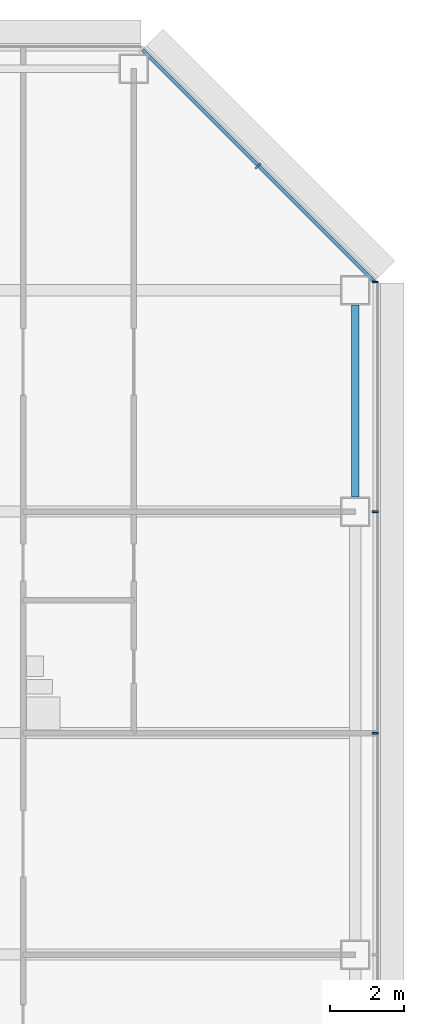
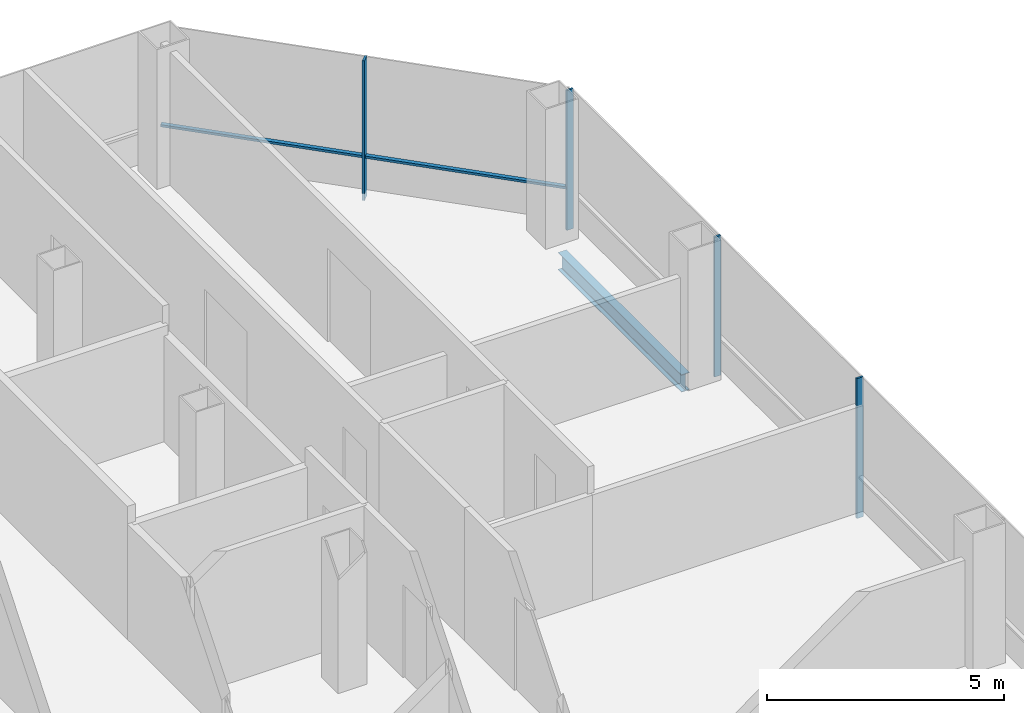
# One storey, part 17 of 25: 5 members, 1 beam, 2 elements without a shape of their own.
"""IFC4 building model written with IfcOpenShell, lengths in metres."""

from ifc_helpers import new_model, si_unit, direction, frame, origin, origin_2d, place, context, subcontext, project, spatial, rectangle, i_section, extrude, material, material_profile, profile_set, type_object, element, aggregate, save


model = new_model("IFC4")

# Units and contexts
model_context = context("Model", 3, precision=1e-05, world=origin(), true_north=direction((0.0, 1.0)))
body_context = subcontext(model_context, "Body", "Model", "MODEL_VIEW")
ifc_project = project(units=[si_unit("LENGTHUNIT", "METRE"), si_unit("AREAUNIT", "SQUARE_METRE"), si_unit("VOLUMEUNIT", "CUBIC_METRE"), si_unit("PLANEANGLEUNIT", "RADIAN"), si_unit("MASSUNIT", "GRAM", prefix="KILO")], contexts=[model_context])

# Site, building, storey
site_placement = place(None, origin())
site = spatial("IfcSite", under=ifc_project, at=site_placement, CompositionType="ELEMENT")
building_placement = place(site_placement, origin())
building = spatial("IfcBuilding", under=site, at=building_placement, Name="Sorahane Residences", CompositionType="ELEMENT")
storey_placement = place(building_placement, frame((0.0, 0.0, 119.60009765625)))
storey = spatial("IfcBuildingStorey", under=building, at=storey_placement, Name="L26", CompositionType="ELEMENT", Elevation=119.60009765625)

# Curtain wall, members
ifc_material_1 = material(Name="Dark low-e glass and black anodised aluminium", Category="aluminium")
curtain_wall_type_1 = type_object("IfcCurtainWallType", Name="Curtain wall CW-1 Typical unitised wall", PredefinedType="NOTDEFINED", material=ifc_material_1)
curtain_wall_1_placement = place(storey_placement, origin())
curtain_wall_1 = element("IfcCurtainWall", 1, at=curtain_wall_1_placement, inside=storey, type_object=curtain_wall_type_1, Name="CW-1 curtain wall L26 E1", PredefinedType="NOTDEFINED")
ifc_material_2 = material(Name="Black anodised aluminium", Category="aluminium")
ifc_material_profile_1 = material_profile(ifc_material_2, rectangle(XDim=0.159912109375, YDim=0.050048828125, at=origin_2d()), Name="Curtain wall mullion CW-1 black anodised aluminium 50x160")
ifc_profile_set_1 = profile_set([ifc_material_profile_1], Name="Black anodised aluminium")
member_type_1 = type_object("IfcMemberType", Name="Curtain wall mullion CW-1 black anodised aluminium 50x160", PredefinedType="MULLION", material=ifc_profile_set_1)
member_1_placement = place(storey_placement, frame((60.5400390625, 30.0, -0.18017578125), z_axis=(0.0, 0.0, 1.0), x_axis=(1.0, 0.0, 0.0)))
member_1 = element("IfcMember", 2, at=member_1_placement, type_object=member_type_1, Name="CW-1 mullion L26 E1.5", PredefinedType="MULLION", context=body_context, shape_type="SweptSolid", body=[
    extrude(rectangle(XDim=0.159912109375, YDim=0.050048828125, at=origin_2d()), origin(), (0.0, 0.0, 1.0), 3.60009765625),
])
member_2_placement = place(storey_placement, frame((60.5400390625, 36.0, -0.18017578125), z_axis=(0.0, 0.0, 1.0), x_axis=(1.0, 0.0, 0.0)))
member_2 = element("IfcMember", 3, at=member_2_placement, type_object=member_type_1, Name="CW-1 mullion L26 E1.6", PredefinedType="MULLION", context=body_context, shape_type="SweptSolid", body=[
    extrude(rectangle(XDim=0.159912109375, YDim=0.050048828125, at=origin_2d()), origin(), (0.0, 0.0, 1.0), 3.60009765625),
])
member_3_placement = place(storey_placement, frame((60.5400390625, 42.2236328125, -0.18017578125), z_axis=(0.0, 0.0, 1.0), x_axis=(1.0, 0.0, 0.0)))
member_3 = element("IfcMember", 4, at=member_3_placement, type_object=member_type_1, Name="CW-1 mullion L26 E1.7", PredefinedType="MULLION", context=body_context, shape_type="SweptSolid", body=[
    extrude(rectangle(XDim=0.159912109375, YDim=0.050048828125, at=origin_2d()), origin(), (0.0, 0.0, 1.0), 3.60009765625),
])
aggregate(curtain_wall_1, [member_1, member_2, member_3])

ifc_material_3 = material(Name="Dark low-e glass and black anodised aluminium", Category="aluminium")
curtain_wall_type_2 = type_object("IfcCurtainWallType", Name="Curtain wall CW-2 Chamfer unitised wall", PredefinedType="NOTDEFINED", material=ifc_material_3)
curtain_wall_2_placement = place(storey_placement, origin())
curtain_wall_2 = element("IfcCurtainWall", 5, at=curtain_wall_2_placement, inside=storey, type_object=curtain_wall_type_2, Name="CW-2 curtain wall L26 NE1", PredefinedType="NOTDEFINED")
ifc_material_4 = material(Name="Black anodised aluminium", Category="aluminium")
ifc_material_profile_2 = material_profile(ifc_material_4, rectangle(XDim=0.199951171875, YDim=0.050048828125, at=origin_2d()), Name="Curtain wall mullion CW-2 black anodised aluminium 50x200")
ifc_profile_set_2 = profile_set([ifc_material_profile_2], Name="Black anodised aluminium")
member_type_2 = type_object("IfcMemberType", Name="Curtain wall mullion CW-2 black anodised aluminium 50x200", PredefinedType="MULLION", material=ifc_profile_set_2)
member_4_placement = place(storey_placement, frame((57.36767578125, 45.36767578125, -0.18017578125), z_axis=(0.0, 0.0, 1.0), x_axis=(0.707106781187, 0.707106781187, 0.0)))
member_4 = element("IfcMember", 6, at=member_4_placement, type_object=member_type_2, Name="CW-2 mullion L26 NE1.2", PredefinedType="MULLION", context=body_context, shape_type="SweptSolid", body=[
    extrude(rectangle(XDim=0.199951171875, YDim=0.050048828125, at=origin_2d()), origin(), (0.0, 0.0, 1.0), 3.60009765625),
])
ifc_material_5 = material(Name="Black anodised aluminium", Category="aluminium")
ifc_material_profile_3 = material_profile(ifc_material_5, rectangle(XDim=0.10009765625, YDim=0.06005859375, at=origin_2d()), Name="Curtain wall transom CW-2 black anodised aluminium 60x100")
ifc_profile_set_3 = profile_set([ifc_material_profile_3], Name="Black anodised aluminium")
member_type_3 = type_object("IfcMemberType", Name="Curtain wall transom CW-2 black anodised aluminium 60x100", PredefinedType="USERDEFINED", material=ifc_profile_set_3)
member_5_placement = place(storey_placement, frame((60.51513671875, 42.234375, 0.89990234375), z_axis=(-0.707106781187, 0.707106781187, 0.0), x_axis=(-0.707106781187, -0.707106781187, 0.0)))
member_5 = element("IfcMember", 7, at=member_5_placement, type_object=member_type_3, Name="CW-2 transom L26 NE1", ObjectType="TRANSOM", PredefinedType="USERDEFINED", context=body_context, shape_type="SweptSolid", body=[
    extrude(rectangle(XDim=0.10009765625, YDim=0.06005859375, at=origin_2d()), origin(), (0.0, 0.0, 1.0), 8.88232421875),
])
aggregate(curtain_wall_2, [member_4, member_5])

# Beam
ifc_material_6 = material(Name="Steel Q355B", Category="steel")
ifc_material_profile_4 = material_profile(ifc_material_6, i_section(OverallWidth=0.199951171875, OverallDepth=0.449951171875, WebThickness=0.009033203125, FlangeThickness=0.013916015625, FilletRadius=0.02001953125, at=origin_2d()), Name="HN 450x200x9x14")
ifc_profile_set_4 = profile_set([ifc_material_profile_4], Name="Steel Q355B")
beam_type = type_object("IfcBeamType", Name="Steel floor beam HN 450x200x9x14 Q355B", PredefinedType="BEAM", material=ifc_profile_set_4)
beam_placement = place(storey_placement, frame((60.0, 36.39990234375, -0.405029296875), z_axis=(0.0, 1.0, 0.0), x_axis=(-1.0, 0.0, 0.0)))
element("IfcBeam", 8, at=beam_placement, inside=storey, type_object=beam_type, Name="Beam L26 067", PredefinedType="BEAM", context=body_context, shape_type="SweptSolid", body=[
    extrude(i_section(OverallWidth=0.199951171875, OverallDepth=0.449951171875, WebThickness=0.009033203125, FlangeThickness=0.013916015625, FilletRadius=0.02001953125, at=origin_2d()), origin(), (0.0, 0.0, 1.0), 5.2001953125),
])

save(model, "model.ifc")
